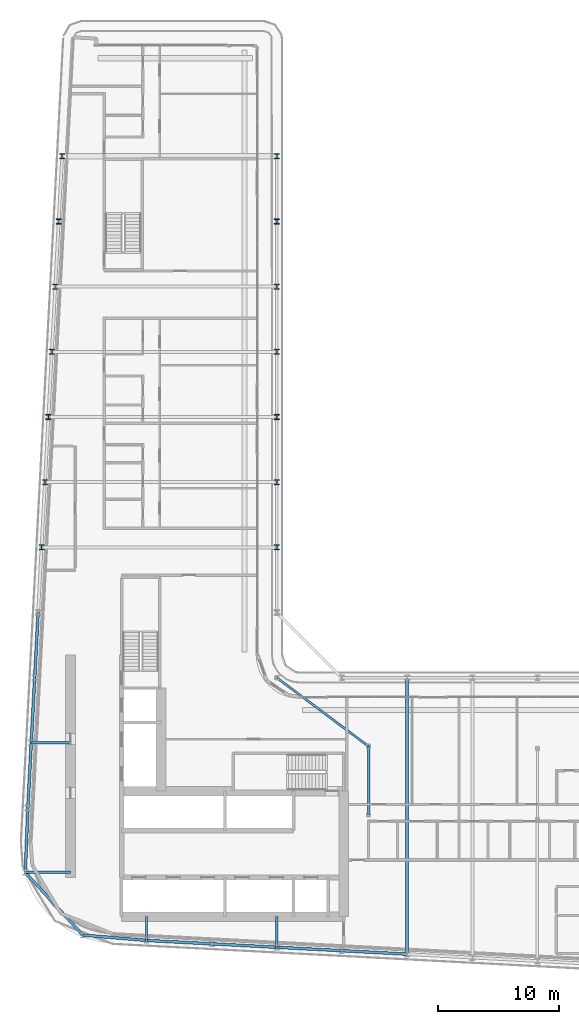
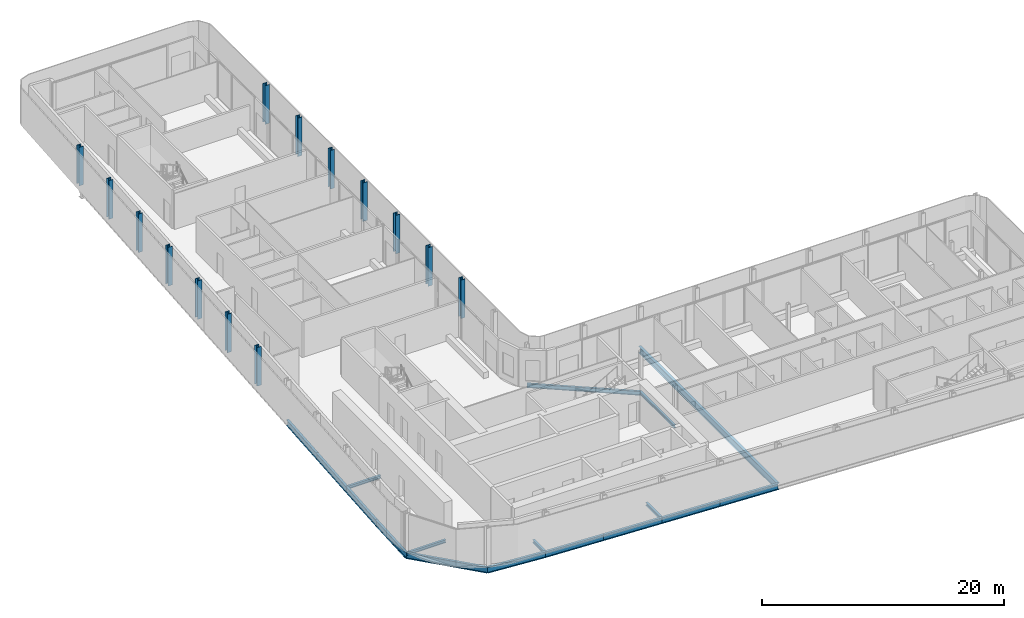
# One storey, part 3 of 26: 17 beams, 14 columns.
"""IFC4 building model written with IfcOpenShell, lengths in metres."""

from ifc_helpers import new_model, si_unit, direction, frame, origin, origin_2d, place, context, subcontext, project, spatial, i_section, extrude, material, material_profile, profile_set, type_object, element, save


model = new_model("IFC4")

# Units and contexts
model_context = context("Model", 3, precision=1e-05, world=origin(), true_north=direction((0.0, 1.0)))
body_context = subcontext(model_context, "Body", "Model", "MODEL_VIEW")
ifc_project = project(units=[si_unit("LENGTHUNIT", "METRE"), si_unit("AREAUNIT", "SQUARE_METRE"), si_unit("VOLUMEUNIT", "CUBIC_METRE"), si_unit("PLANEANGLEUNIT", "RADIAN"), si_unit("MASSUNIT", "GRAM", prefix="KILO")], contexts=[model_context])

# Site, building, storey
site_placement = place(None, origin())
site = spatial("IfcSite", under=ifc_project, at=site_placement, CompositionType="ELEMENT")
building_placement = place(site_placement, origin())
building = spatial("IfcBuilding", under=site, at=building_placement, Name="Kheshtan School and Residences Tower", CompositionType="ELEMENT")
storey_placement = place(building_placement, frame((0.0, 0.0, 156.5)))
storey = spatial("IfcBuildingStorey", under=building, at=storey_placement, Name="L36", CompositionType="ELEMENT", Elevation=156.5)

# Columns
ifc_material = material(Name="Steel ASTM A992 Grade 50", Category="steel")
ifc_material_profile_1 = material_profile(ifc_material, i_section(OverallWidth=0.408935546875, OverallDepth=0.425048828125, WebThickness=0.03271484375, FlangeThickness=0.052490234375, FilletRadius=0.0126953125, at=origin_2d()), Name="W360x421")
ifc_profile_set_1 = profile_set([ifc_material_profile_1], Name="Steel ASTM A992 Grade 50")
column_type = type_object("IfcColumnType", Name="Column C3 W360x421 ASTM A992 Grade 50", PredefinedType="COLUMN", material=ifc_profile_set_1)
for number, where, z_axis, x_axis, name in (
    (1, (28.10595703125, 56.39990234375, 0.0), (0.0, 0.0, 1.0), (1.0, 0.0, 0.0), "Column C080"),
    (2, (47.60009765625, 56.39990234375, 0.0), (0.0, 0.0, 1.0), (1.0, 0.0, 0.0), "Column C081"),
    (3, (28.389892578125, 61.800048828125, 0.0), (0.0, 0.0, 1.0), (1.0, 0.0, 0.0), "Column C082"),
    (4, (47.60009765625, 61.800048828125, 0.0), (0.0, 0.0, 1.0), (1.0, 0.0, 0.0), "Column C083"),
    (5, (28.674072265625, 67.199951171875, 0.0), (0.0, 0.0, 1.0), (1.0, 0.0, 0.0), "Column C084"),
    (6, (47.60009765625, 67.199951171875, 0.0), (0.0, 0.0, 1.0), (1.0, 0.0, 0.0), "Column C085"),
    (7, (28.9580078125, 72.60009765625, 0.0), (0.0, 0.0, 1.0), (1.0, 0.0, 0.0), "Column C086"),
    (8, (47.60009765625, 72.60009765625, 0.0), (0.0, 0.0, 1.0), (1.0, 0.0, 0.0), "Column C087"),
    (9, (29.242919921875, 78.0, 0.0), (0.0, 0.0, 1.0), (1.0, 0.0, 0.0), "Column C088"),
    (10, (47.60009765625, 78.0, 0.0), (0.0, 0.0, 1.0), (1.0, 0.0, 0.0), "Column C089"),
    (11, (29.527099609375, 83.39990234375, 0.0), (0.0, 0.0, 1.0), (1.0, 0.0, 0.0), "Column C090"),
    (12, (47.60009765625, 83.39990234375, 0.0), (0.0, 0.0, 1.0), (1.0, 0.0, 0.0), "Column C091"),
    (13, (29.81103515625, 88.800048828125, 0.0), (0.0, 0.0, 1.0), (1.0, 0.0, 0.0), "Column C098"),
    (14, (47.60009765625, 88.800048828125, 0.0), (0.0, 0.0, 1.0), (1.0, 0.0, 0.0), "Column C099"),
):
    element("IfcColumn", number, at=place(storey_placement, frame(where, z_axis=z_axis, x_axis=x_axis)), inside=storey, type_object=column_type, Name=name, PredefinedType="COLUMN", context=body_context, shape_type="SweptSolid", body=[
        extrude(i_section(OverallWidth=0.408935546875, OverallDepth=0.425048828125, WebThickness=0.03271484375, FlangeThickness=0.052490234375, FilletRadius=0.0126953125, at=origin_2d()), origin(), (0.0, 0.0, 1.0), 3.89990234375),
    ])

# Beams
ifc_material_profile_2 = material_profile(ifc_material, i_section(OverallWidth=0.202880859375, OverallDepth=0.302978515625, WebThickness=0.007568359375, FlangeThickness=0.01318359375, FilletRadius=0.009033203125, at=origin_2d()), Name="W310x60")
ifc_profile_set_2 = profile_set([ifc_material_profile_2], Name="Steel ASTM A992 Grade 50")
beam_type_1 = type_object("IfcBeamType", Name="Beam FB1 W310x60 ASTM A992 Grade 50", PredefinedType="BEAM", material=ifc_profile_set_2)
beam_1_placement = place(storey_placement, frame((47.60009765625, 23.263916015625, -0.301513671875), z_axis=(0.0, 1.0, 0.0), x_axis=(-1.0, 0.0, 0.0)))
element("IfcBeam", 15, at=beam_1_placement, inside=storey, type_object=beam_type_1, Name="Floor beam C020", PredefinedType="BEAM", context=body_context, shape_type="SweptSolid", body=[
    extrude(i_section(OverallWidth=0.202880859375, OverallDepth=0.302978515625, WebThickness=0.007568359375, FlangeThickness=0.01318359375, FilletRadius=0.009033203125, at=origin_2d()), origin(), (0.0, 0.0, 1.0), 2.5361328125),
])
beam_2_placement = place(storey_placement, frame((36.800048828125, 23.83203125, -0.301513671875), z_axis=(0.0, 1.0, 0.0), x_axis=(-1.0, 0.0, 0.0)))
element("IfcBeam", 16, at=beam_2_placement, inside=storey, type_object=beam_type_1, Name="Floor beam C022", PredefinedType="BEAM", context=body_context, shape_type="SweptSolid", body=[
    extrude(i_section(OverallWidth=0.202880859375, OverallDepth=0.302978515625, WebThickness=0.007568359375, FlangeThickness=0.01318359375, FilletRadius=0.009033203125, at=origin_2d()), origin(), (0.0, 0.0, 1.0), 1.968017578125),
])
beam_3_placement = place(storey_placement, frame((26.761962890625, 29.464111328125, -0.301513671875), z_axis=(1.0, 0.0, 0.0), x_axis=(0.0, 1.0, 0.0)))
element("IfcBeam", 17, at=beam_3_placement, inside=storey, type_object=beam_type_1, Name="Floor beam C041", PredefinedType="BEAM", context=body_context, shape_type="SweptSolid", body=[
    extrude(i_section(OverallWidth=0.202880859375, OverallDepth=0.302978515625, WebThickness=0.007568359375, FlangeThickness=0.01318359375, FilletRadius=0.009033203125, at=origin_2d()), origin(), (0.0, 0.0, 1.0), 3.738037109375),
])
beam_4_placement = place(storey_placement, frame((27.2529296875, 40.199951171875, -0.301513671875), z_axis=(1.0, 0.0, 0.0), x_axis=(0.0, 1.0, 0.0)))
element("IfcBeam", 18, at=beam_4_placement, inside=storey, type_object=beam_type_1, Name="Floor beam C056", PredefinedType="BEAM", context=body_context, shape_type="SweptSolid", body=[
    extrude(i_section(OverallWidth=0.202880859375, OverallDepth=0.302978515625, WebThickness=0.007568359375, FlangeThickness=0.01318359375, FilletRadius=0.009033203125, at=origin_2d()), origin(), (0.0, 0.0, 1.0), 3.2470703125),
])
beam_5_placement = place(storey_placement, frame((55.199951171875, 34.23193359375, -0.301513671875), z_axis=(0.0, 1.0, 0.0), x_axis=(-1.0, 0.0, 0.0)))
element("IfcBeam", 19, at=beam_5_placement, inside=storey, type_object=beam_type_1, Name="Floor beam IC", PredefinedType="BEAM", context=body_context, shape_type="SweptSolid", body=[
    extrude(i_section(OverallWidth=0.202880859375, OverallDepth=0.302978515625, WebThickness=0.007568359375, FlangeThickness=0.01318359375, FilletRadius=0.009033203125, at=origin_2d()), origin(), (0.0, 0.0, 1.0), 5.68408203125),
])
ifc_material_profile_3 = material_profile(ifc_material, i_section(OverallWidth=0.180908203125, OverallDepth=0.4169921875, WebThickness=0.010986328125, FlangeThickness=0.018310546875, FilletRadius=0.012451171875, at=origin_2d()), Name="W410x85")
ifc_profile_set_3 = profile_set([ifc_material_profile_3], Name="Steel ASTM A992 Grade 50")
beam_type_2 = type_object("IfcBeamType", Name="Beam FB3 W410x85 ASTM A992 Grade 50", PredefinedType="BEAM", material=ifc_profile_set_3)
beam_6_placement = place(storey_placement, frame((47.60009765625, 45.60009765625, -0.3583984375), z_axis=(0.800798828004, -0.598933416222, 0.0), x_axis=(0.598933416222, 0.800798828004, 0.0)))
element("IfcBeam", 20, at=beam_6_placement, inside=storey, type_object=beam_type_2, Name="Floor beam IC", PredefinedType="BEAM", context=body_context, shape_type="SweptSolid", body=[
    extrude(i_section(OverallWidth=0.180908203125, OverallDepth=0.4169921875, WebThickness=0.010986328125, FlangeThickness=0.018310546875, FilletRadius=0.012451171875, at=origin_2d()), origin(), (0.0, 0.0, 1.0), 9.490234375),
])
ifc_material_profile_4 = material_profile(ifc_material, i_section(OverallWidth=0.2529296875, OverallDepth=0.677978515625, WebThickness=0.01171875, FlangeThickness=0.016357421875, FilletRadius=0.0146484375, at=origin_2d()), Name="W690x125")
ifc_profile_set_4 = profile_set([ifc_material_profile_4], Name="Steel ASTM A992 Grade 50")
beam_type_3 = type_object("IfcBeamType", Name="Beam FB6 W690x125 ASTM A992 Grade 50", PredefinedType="BEAM", material=ifc_profile_set_4)
beam_7_placement = place(storey_placement, frame((58.39990234375, 22.695068359375, -0.489013671875), z_axis=(0.0, 1.0, 0.0), x_axis=(-1.0, 0.0, 0.0)))
element("IfcBeam", 21, at=beam_7_placement, inside=storey, type_object=beam_type_3, Name="Floor beam C018", PredefinedType="BEAM", context=body_context, shape_type="SweptSolid", body=[
    extrude(i_section(OverallWidth=0.2529296875, OverallDepth=0.677978515625, WebThickness=0.01171875, FlangeThickness=0.016357421875, FilletRadius=0.0146484375, at=origin_2d()), origin(), (0.0, 0.0, 1.0), 22.905029296875),
])
ifc_material_profile_5 = material_profile(ifc_material, i_section(OverallWidth=0.22802734375, OverallDepth=0.60302734375, WebThickness=0.010498046875, FlangeThickness=0.014892578125, FilletRadius=0.013427734375, at=origin_2d()), Name="W610x101")
ifc_profile_set_5 = profile_set([ifc_material_profile_5], Name="Steel ASTM A992 Grade 50")
beam_type_4 = type_object("IfcBeamType", Name="Beam SP2 W610x101 ASTM A992 Grade 50", PredefinedType="BEAM", material=ifc_profile_set_5)
for number, where, z_axis, x_axis, name in (
    (22, (58.39990234375, 22.695068359375, -0.451416015625), (-0.998610961136, 0.052689166816, 0.0), (-0.052689166816, -0.998610961136, 0.0), "Spandrel beam C018-C019"),
    (23, (53.0, 22.97998046875, -0.451416015625), (-0.998620447272, 0.05250906864, 0.0), (-0.05250906864, -0.998620447272, 0.0), "Spandrel beam C019-C020"),
):
    element("IfcBeam", number, at=place(storey_placement, frame(where, z_axis=z_axis, x_axis=x_axis)), inside=storey, type_object=beam_type_4, Name=name, PredefinedType="BEAM", context=body_context, shape_type="SweptSolid", body=[
        extrude(i_section(OverallWidth=0.22802734375, OverallDepth=0.60302734375, WebThickness=0.010498046875, FlangeThickness=0.014892578125, FilletRadius=0.013427734375, at=origin_2d()), origin(), (0.0, 0.0, 1.0), 5.407470703125),
    ])
beam_8_placement = place(storey_placement, frame((47.60009765625, 23.263916015625, -0.451416015625), z_axis=(-0.998618203458, 0.052551724256, 0.0), x_axis=(-0.052551724256, -0.998618203458, 0.0)))
element("IfcBeam", 24, at=beam_8_placement, inside=storey, type_object=beam_type_4, Name="Spandrel beam C020-C021", PredefinedType="BEAM", context=body_context, shape_type="SweptSolid", body=[
    extrude(i_section(OverallWidth=0.22802734375, OverallDepth=0.60302734375, WebThickness=0.010498046875, FlangeThickness=0.014892578125, FilletRadius=0.013427734375, at=origin_2d()), origin(), (0.0, 0.0, 1.0), 5.40771484375),
])
beam_9_placement = place(storey_placement, frame((42.199951171875, 23.548095703125, -0.451416015625), z_axis=(-0.998620447272, 0.05250906864, 0.0), x_axis=(-0.05250906864, -0.998620447272, 0.0)))
element("IfcBeam", 25, at=beam_9_placement, inside=storey, type_object=beam_type_4, Name="Spandrel beam C021-C022", PredefinedType="BEAM", context=body_context, shape_type="SweptSolid", body=[
    extrude(i_section(OverallWidth=0.22802734375, OverallDepth=0.60302734375, WebThickness=0.010498046875, FlangeThickness=0.014892578125, FilletRadius=0.013427734375, at=origin_2d()), origin(), (0.0, 0.0, 1.0), 5.407470703125),
])
beam_10_placement = place(storey_placement, frame((36.800048828125, 23.83203125, -0.451416015625), z_axis=(-0.996498230975, 0.083613848512, 0.0), x_axis=(-0.083613848512, -0.996498230975, 0.0)))
element("IfcBeam", 26, at=beam_10_placement, inside=storey, type_object=beam_type_4, Name="Spandrel beam C022-C028", PredefinedType="BEAM", context=body_context, shape_type="SweptSolid", body=[
    extrude(i_section(OverallWidth=0.22802734375, OverallDepth=0.60302734375, WebThickness=0.010498046875, FlangeThickness=0.014892578125, FilletRadius=0.013427734375, at=origin_2d()), origin(), (0.0, 0.0, 1.0), 5.296630859375),
])
beam_11_placement = place(storey_placement, frame((31.52197265625, 24.27490234375, -0.451416015625), z_axis=(-0.675974218658, 0.736925271456, 0.0), x_axis=(-0.736925271456, -0.675974218658, 0.0)))
element("IfcBeam", 27, at=beam_11_placement, inside=storey, type_object=beam_type_4, Name="Spandrel beam C028-C041", PredefinedType="BEAM", context=body_context, shape_type="SweptSolid", body=[
    extrude(i_section(OverallWidth=0.22802734375, OverallDepth=0.60302734375, WebThickness=0.010498046875, FlangeThickness=0.014892578125, FilletRadius=0.013427734375, at=origin_2d()), origin(), (0.0, 0.0, 1.0), 7.041748046875),
])
beam_12_placement = place(storey_placement, frame((26.761962890625, 29.464111328125, -0.451416015625), z_axis=(0.038770243067, 0.999248151488, 0.0), x_axis=(-0.999248151488, 0.038770243067, 0.0)))
element("IfcBeam", 28, at=beam_12_placement, inside=storey, type_object=beam_type_4, Name="Spandrel beam C041-C052", PredefinedType="BEAM", context=body_context, shape_type="SweptSolid", body=[
    extrude(i_section(OverallWidth=0.22802734375, OverallDepth=0.60302734375, WebThickness=0.010498046875, FlangeThickness=0.014892578125, FilletRadius=0.013427734375, at=origin_2d()), origin(), (0.0, 0.0, 1.0), 5.33984375),
])
beam_13_placement = place(storey_placement, frame((26.968994140625, 34.800048828125, -0.451416015625), z_axis=(0.05250906864, 0.998620447272, 0.0), x_axis=(-0.998620447272, 0.05250906864, 0.0)))
element("IfcBeam", 29, at=beam_13_placement, inside=storey, type_object=beam_type_4, Name="Spandrel beam C052-C056", PredefinedType="BEAM", context=body_context, shape_type="SweptSolid", body=[
    extrude(i_section(OverallWidth=0.22802734375, OverallDepth=0.60302734375, WebThickness=0.010498046875, FlangeThickness=0.014892578125, FilletRadius=0.013427734375, at=origin_2d()), origin(), (0.0, 0.0, 1.0), 5.407470703125),
])
beam_14_placement = place(storey_placement, frame((27.2529296875, 40.199951171875, -0.451416015625), z_axis=(0.052551724256, 0.998618203458, 0.0), x_axis=(-0.998618203458, 0.052551724256, 0.0)))
element("IfcBeam", 30, at=beam_14_placement, inside=storey, type_object=beam_type_4, Name="Spandrel beam C056-C059", PredefinedType="BEAM", context=body_context, shape_type="SweptSolid", body=[
    extrude(i_section(OverallWidth=0.22802734375, OverallDepth=0.60302734375, WebThickness=0.010498046875, FlangeThickness=0.014892578125, FilletRadius=0.013427734375, at=origin_2d()), origin(), (0.0, 0.0, 1.0), 5.40771484375),
])
beam_15_placement = place(storey_placement, frame((27.537109375, 45.60009765625, -0.451416015625), z_axis=(0.052689166816, 0.998610961136, 0.0), x_axis=(-0.998610961136, 0.052689166816, 0.0)))
element("IfcBeam", 31, at=beam_15_placement, inside=storey, type_object=beam_type_4, Name="Spandrel beam C059-C078", PredefinedType="BEAM", context=body_context, shape_type="SweptSolid", body=[
    extrude(i_section(OverallWidth=0.22802734375, OverallDepth=0.60302734375, WebThickness=0.010498046875, FlangeThickness=0.014892578125, FilletRadius=0.013427734375, at=origin_2d()), origin(), (0.0, 0.0, 1.0), 5.407470703125),
])

save(model, "model.ifc")
